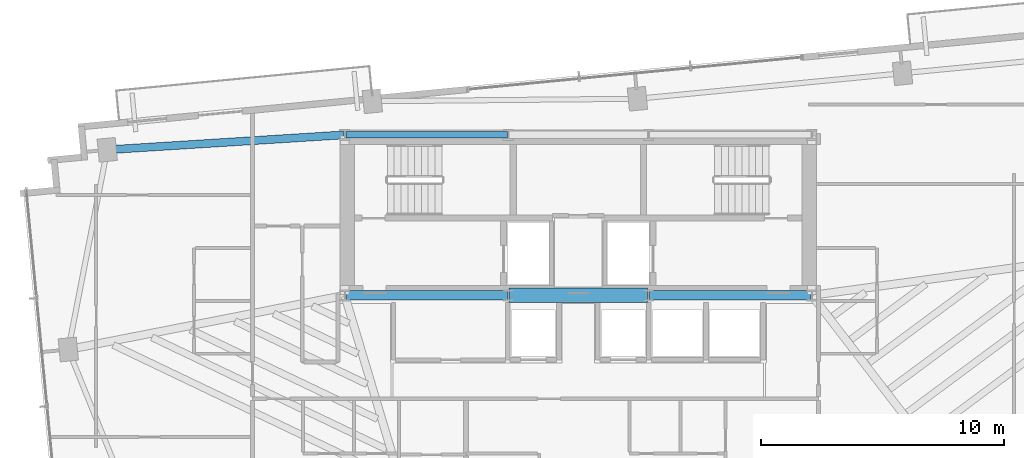
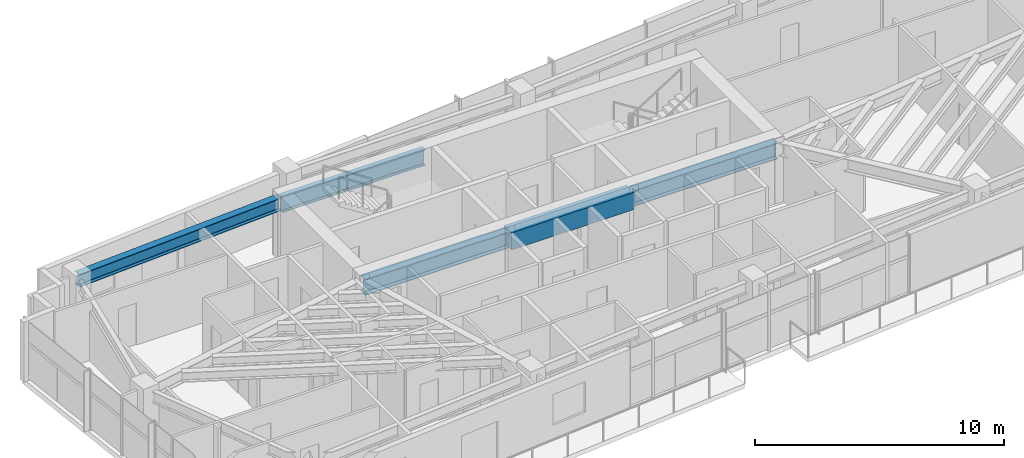
# One storey, part 5 of 18: 5 beams.
"""IFC4 building model written with IfcOpenShell, lengths in metres."""

from ifc_helpers import new_model, si_unit, direction, frame, origin, origin_2d, place, context, subcontext, project, spatial, rectangle, i_section, extrude, source, transform, mapped, material, material_profile, profile_set, type_object, type_shapes, element, save


model = new_model("IFC4")

# Units and contexts
model_context = context("Model", 3, precision=1e-05, world=origin(), true_north=direction((0.0, 1.0)))
body_context = subcontext(model_context, "Body", "Model", "MODEL_VIEW")
ifc_project = project(units=[si_unit("LENGTHUNIT", "METRE"), si_unit("AREAUNIT", "SQUARE_METRE"), si_unit("VOLUMEUNIT", "CUBIC_METRE"), si_unit("PLANEANGLEUNIT", "RADIAN"), si_unit("MASSUNIT", "GRAM", prefix="KILO")], contexts=[model_context])

# Site, building, storey
site_placement = place(None, origin())
site = spatial("IfcSite", under=ifc_project, at=site_placement, CompositionType="ELEMENT")
building_placement = place(site_placement, origin())
building = spatial("IfcBuilding", under=site, at=building_placement, Name="Astriad Promenade Condominiums", CompositionType="ELEMENT")
storey_placement = place(building_placement, frame((0.0, 0.0, 176.199951171875)))
storey = spatial("IfcBuildingStorey", under=building, at=storey_placement, Name="L50", CompositionType="ELEMENT", Elevation=176.199951171875)

# Beams
ifc_material_1 = material(Name="Steel ASTM A992 Grade 50", Category="steel")
ifc_material_profile_1 = material_profile(ifc_material_1, i_section(OverallWidth=0.3837890625, OverallDepth=0.785888671875, WebThickness=0.019775390625, FlangeThickness=0.033447265625, FilletRadius=0.021484375, at=origin_2d()), Name="W30X211")
ifc_profile_set_1 = profile_set([ifc_material_profile_1], Name="Steel ASTM A992 Grade 50")
beam_type_1 = type_object("IfcBeamType", Name="STEEL FLOOR GIRDER W30X211", PredefinedType="BEAM", material=ifc_profile_set_1)
shared_shape_1 = source(origin(), body_context, "Body", "SweptSolid", [
    extrude(i_section(OverallWidth=0.3837890625, OverallDepth=0.785888671875, WebThickness=0.019775390625, FlangeThickness=0.033447265625, FilletRadius=0.021484375, at=origin_2d()), origin(), (0.0, 0.0, 1.0), 6.64013671875),
])
type_shapes(beam_type_1, [shared_shape_1])
for number, where, z_axis, x_axis, name in (
    (1, (26.43994140625, 17.39990234375, 2.547119140625), (1.0, 0.0, 0.0), (0.0, 1.0, 0.0), "Core Ring Beam CG-S1-L50"),
    (2, (38.919921875, 17.39990234375, 2.547119140625), (1.0, 0.0, 0.0), (0.0, 1.0, 0.0), "Core Ring Beam CG-S3-L50"),
):
    element("IfcBeam", number, at=place(storey_placement, frame(where, z_axis=z_axis, x_axis=x_axis)), inside=storey, type_object=beam_type_1, Name=name, PredefinedType="BEAM", context=body_context, shape_type="MappedRepresentation", body=[
        mapped(shared_shape_1, transform((0.0, 0.0, 0.0), scale=1.0)),
    ])
ifc_material_profile_2 = material_profile(ifc_material_1, i_section(OverallWidth=0.267822265625, OverallDepth=0.76953125, WebThickness=0.015625, FlangeThickness=0.025390625, FilletRadius=0.021484375, at=origin_2d()), Name="W30X132")
ifc_profile_set_2 = profile_set([ifc_material_profile_2], Name="Steel ASTM A992 Grade 50")
beam_type_2 = type_object("IfcBeamType", Name="STEEL FLOOR GIRDER W30X132", PredefinedType="BEAM", material=ifc_profile_set_2)
shared_shape_2 = source(origin(), body_context, "Body", "SweptSolid", [
    extrude(i_section(OverallWidth=0.267822265625, OverallDepth=0.76953125, WebThickness=0.015625, FlangeThickness=0.025390625, FilletRadius=0.021484375, at=origin_2d()), origin(), (0.0, 0.0, 1.0), 6.64013671875),
])
type_shapes(beam_type_2, [shared_shape_2])
beam_1_placement = place(storey_placement, frame((26.43994140625, 24.0, 2.55517578125), z_axis=(1.0, 0.0, 0.0), x_axis=(0.0, 1.0, 0.0)))
element("IfcBeam", 3, at=beam_1_placement, inside=storey, type_object=beam_type_2, Name="Core Ring Beam CG-N1-L50", PredefinedType="BEAM", context=body_context, shape_type="MappedRepresentation", body=[
    mapped(shared_shape_2, transform((0.0, 0.0, 0.0), scale=1.0)),
])
ifc_material_2 = material(Name="Concrete C60/75", Category="concrete")
ifc_material_profile_3 = material_profile(ifc_material_2, rectangle(XDim=0.60009765625, YDim=0.85009765625, at=origin_2d()), Name="RC-BM-600X850")
ifc_profile_set_3 = profile_set([ifc_material_profile_3], Name="Concrete C60/75")
beam_type_3 = type_object("IfcBeamType", Name="CONCRETE CORE COUPLING LINTEL 600X850", PredefinedType="LINTEL", material=ifc_profile_set_3)
shared_shape_3 = source(origin(), body_context, "Body", "SweptSolid", [
    extrude(rectangle(XDim=0.60009765625, YDim=0.85009765625, at=origin_2d()), origin(), (0.0, 0.0, 1.0), 5.68017578125),
])
type_shapes(beam_type_3, [shared_shape_3])
beam_2_placement = place(storey_placement, frame((33.159912109375, 17.39990234375, 2.51513671875), z_axis=(1.0, 0.0, 0.0), x_axis=(0.0, 1.0, 0.0)))
element("IfcBeam", 4, at=beam_2_placement, inside=storey, type_object=beam_type_3, Name="Core Ring Beam CG-S2-L50", PredefinedType="LINTEL", context=body_context, shape_type="MappedRepresentation", body=[
    mapped(shared_shape_3, transform((0.0, 0.0, 0.0), scale=1.0)),
])
ifc_material_profile_4 = material_profile(ifc_material_1, i_section(OverallWidth=0.326416015625, OverallDepth=0.621826171875, WebThickness=0.015380859375, FlangeThickness=0.0244140625, FilletRadius=0.017822265625, at=origin_2d()), Name="W24X131")
ifc_profile_set_4 = profile_set([ifc_material_profile_4], Name="Steel ASTM A992 Grade 50")
beam_type_4 = type_object("IfcBeamType", Name="STEEL FLOOR GIRDER W24X131", PredefinedType="BEAM", material=ifc_profile_set_4)
shared_shape_4 = source(origin(), body_context, "Body", "SweptSolid", [
    extrude(i_section(OverallWidth=0.326416015625, OverallDepth=0.621826171875, WebThickness=0.015380859375, FlangeThickness=0.0244140625, FilletRadius=0.017822265625, at=origin_2d()), origin(), (0.0, 0.0, 1.0), 9.707275390625),
])
type_shapes(beam_type_4, [shared_shape_4])
beam_3_placement = place(storey_placement, frame((16.672119140625, 23.38671875, 2.629150390625), z_axis=(0.998018176507, 0.062926301034, 0.0), x_axis=(-0.062926301034, 0.998018176507, 0.0)))
element("IfcBeam", 5, at=beam_3_placement, inside=storey, type_object=beam_type_4, Name="Primary Floor Girder PG-NW-L50", PredefinedType="BEAM", context=body_context, shape_type="MappedRepresentation", body=[
    mapped(shared_shape_4, transform((0.0, 0.0, 0.0), scale=1.0)),
])

save(model, "model.ifc")
